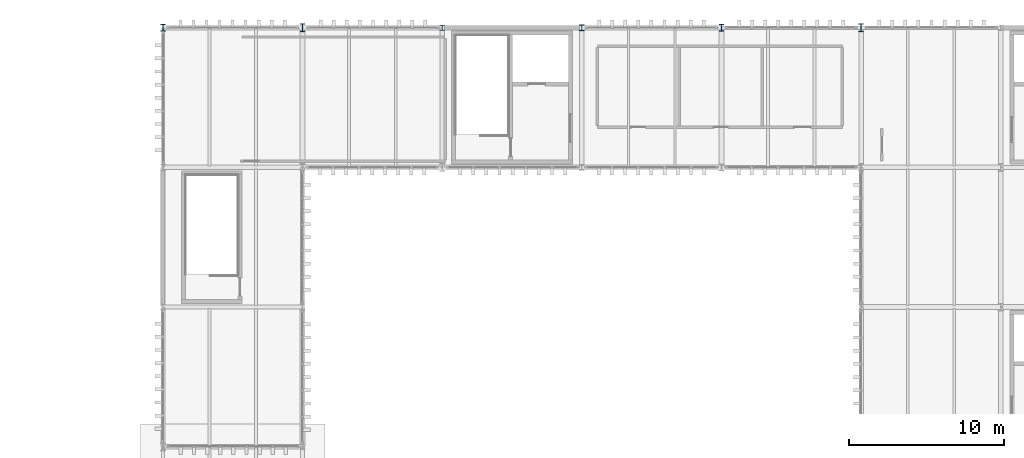
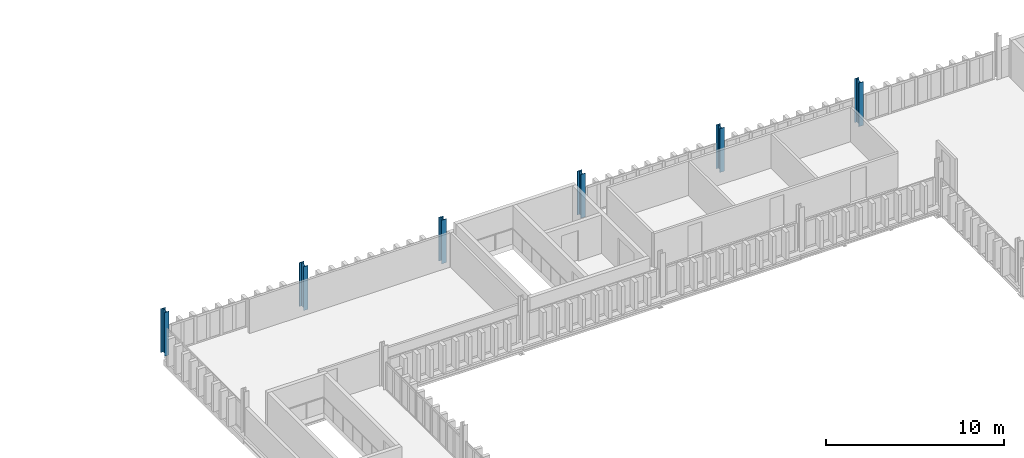
# One storey, part 8 of 58: 6 columns.
"""IFC4 building model written with IfcOpenShell, lengths in metres."""

from ifc_helpers import new_model, si_unit, direction, frame, origin, origin_2d, place, context, subcontext, project, spatial, i_section, extrude, material, material_profile, profile_set, type_object, element, save


model = new_model("IFC4")

# Units and contexts
model_context = context("Model", 3, precision=1e-05, world=origin(), true_north=direction((0.0, 1.0)))
body_context = subcontext(model_context, "Body", "Model", "MODEL_VIEW")
ifc_project = project(units=[si_unit("LENGTHUNIT", "METRE"), si_unit("AREAUNIT", "SQUARE_METRE"), si_unit("VOLUMEUNIT", "CUBIC_METRE"), si_unit("PLANEANGLEUNIT", "RADIAN"), si_unit("MASSUNIT", "GRAM", prefix="KILO")], contexts=[model_context])

# Site, building, storey
site_placement = place(None, origin())
site = spatial("IfcSite", under=ifc_project, at=site_placement, CompositionType="ELEMENT")
building_placement = place(site_placement, origin())
building = spatial("IfcBuilding", under=site, at=building_placement, Name="Barlavento Convention Centre", CompositionType="ELEMENT")
storey_placement = place(building_placement, frame((0.0, 0.0, 26.800048828125)))
storey = spatial("IfcBuildingStorey", under=building, at=storey_placement, Name="L05", CompositionType="ELEMENT", Elevation=26.800048828125)

# Columns
ifc_material = material(Name="Steel S355", Category="steel")
ifc_material_profile_1 = material_profile(ifc_material, i_section(OverallWidth=0.300048828125, OverallDepth=0.340087890625, WebThickness=0.011962890625, FlangeThickness=0.021484375, FilletRadius=0.027099609375, at=origin_2d()), Name="HEB 340")
ifc_profile_set_1 = profile_set([ifc_material_profile_1], Name="Steel S355")
column_type_1 = type_object("IfcColumnType", Name="STR-COL-HEB340", PredefinedType="COLUMN", material=ifc_profile_set_1)
column_1_placement = place(storey_placement, frame((144.0, 99.0, 0.0), z_axis=(0.0, 0.0, 1.0), x_axis=(1.0, 0.0, 0.0)))
element("IfcColumn", 1, at=column_1_placement, inside=storey, type_object=column_type_1, Name="L05 column SC12", PredefinedType="COLUMN", context=body_context, shape_type="SweptSolid", body=[
    extrude(i_section(OverallWidth=0.300048828125, OverallDepth=0.340087890625, WebThickness=0.011962890625, FlangeThickness=0.021484375, FilletRadius=0.027099609375, at=origin_2d()), origin(), (0.0, 0.0, 1.0), 3.0),
])
ifc_material_profile_2 = material_profile(ifc_material, i_section(OverallWidth=0.300048828125, OverallDepth=0.39990234375, WebThickness=0.013427734375, FlangeThickness=0.02392578125, FilletRadius=0.027099609375, at=origin_2d()), Name="HEB 400")
ifc_profile_set_2 = profile_set([ifc_material_profile_2], Name="Steel S355")
column_type_2 = type_object("IfcColumnType", Name="STR-COL-HEB400", PredefinedType="COLUMN", material=ifc_profile_set_2)
column_2_placement = place(storey_placement, frame((153.0, 99.0, 0.0), z_axis=(0.0, 0.0, 1.0), x_axis=(1.0, 0.0, 0.0)))
element("IfcColumn", 2, at=column_2_placement, inside=storey, type_object=column_type_2, Name="L05 column SC11", PredefinedType="COLUMN", context=body_context, shape_type="SweptSolid", body=[
    extrude(i_section(OverallWidth=0.300048828125, OverallDepth=0.39990234375, WebThickness=0.013427734375, FlangeThickness=0.02392578125, FilletRadius=0.027099609375, at=origin_2d()), origin(), (0.0, 0.0, 1.0), 3.0),
])
ifc_material_profile_3 = material_profile(ifc_material, i_section(OverallWidth=0.300048828125, OverallDepth=0.449951171875, WebThickness=0.013916015625, FlangeThickness=0.02587890625, FilletRadius=0.027099609375, at=origin_2d()), Name="HEB 450")
ifc_profile_set_3 = profile_set([ifc_material_profile_3], Name="Steel S355")
column_type_3 = type_object("IfcColumnType", Name="STR-COL-HEB450", PredefinedType="COLUMN", material=ifc_profile_set_3)
for number, where, z_axis, x_axis, name in (
    (3, (126.0, 99.0, 0.0), (0.0, 0.0, 1.0), (1.0, 0.0, 0.0), "L05 column SC10"),
    (4, (162.0, 99.0, 0.0), (0.0, 0.0, 1.0), (1.0, 0.0, 0.0), "L05 column SC10"),
):
    element("IfcColumn", number, at=place(storey_placement, frame(where, z_axis=z_axis, x_axis=x_axis)), inside=storey, type_object=column_type_3, Name=name, PredefinedType="COLUMN", context=body_context, shape_type="SweptSolid", body=[
        extrude(i_section(OverallWidth=0.300048828125, OverallDepth=0.449951171875, WebThickness=0.013916015625, FlangeThickness=0.02587890625, FilletRadius=0.027099609375, at=origin_2d()), origin(), (0.0, 0.0, 1.0), 3.0),
    ])
ifc_material_profile_4 = material_profile(ifc_material, i_section(OverallWidth=0.300048828125, OverallDepth=0.5, WebThickness=0.014404296875, FlangeThickness=0.028076171875, FilletRadius=0.027099609375, at=origin_2d()), Name="HEB 500")
ifc_profile_set_4 = profile_set([ifc_material_profile_4], Name="Steel S355")
column_type_4 = type_object("IfcColumnType", Name="STR-COL-HEB500", PredefinedType="COLUMN", material=ifc_profile_set_4)
for number, where, z_axis, x_axis, name in (
    (5, (135.0, 99.0, 0.0), (0.0, 0.0, 1.0), (1.0, 0.0, 0.0), "L05 column SC09"),
    (6, (171.0, 99.0, 0.0), (0.0, 0.0, 1.0), (1.0, 0.0, 0.0), "L05 column SC09"),
):
    element("IfcColumn", number, at=place(storey_placement, frame(where, z_axis=z_axis, x_axis=x_axis)), inside=storey, type_object=column_type_4, Name=name, PredefinedType="COLUMN", context=body_context, shape_type="SweptSolid", body=[
        extrude(i_section(OverallWidth=0.300048828125, OverallDepth=0.5, WebThickness=0.014404296875, FlangeThickness=0.028076171875, FilletRadius=0.027099609375, at=origin_2d()), origin(), (0.0, 0.0, 1.0), 3.0),
    ])

save(model, "model.ifc")
